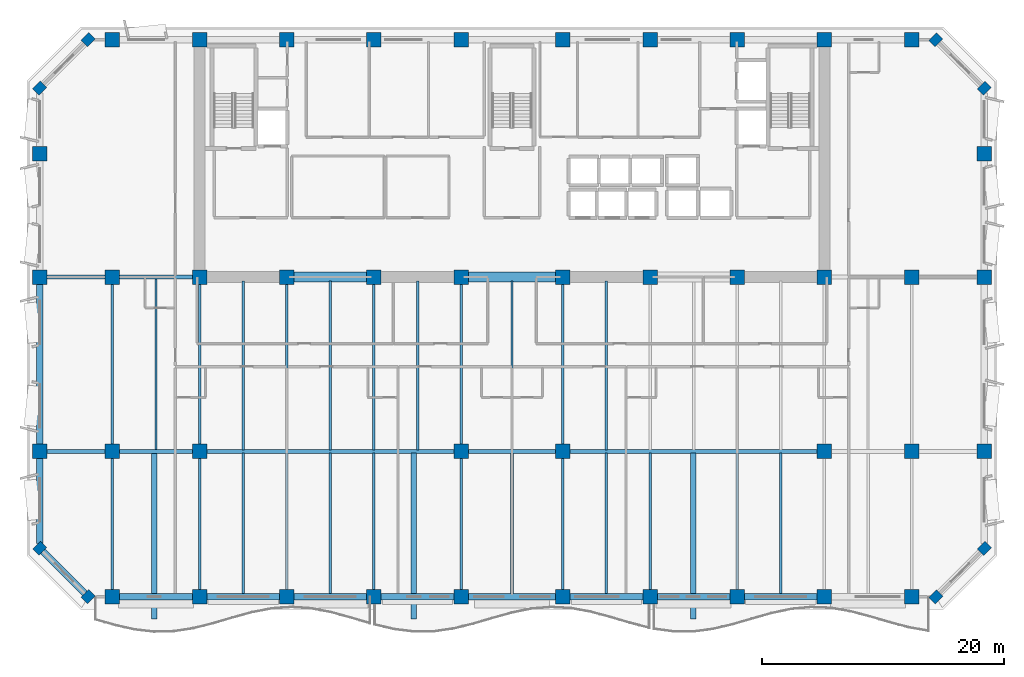
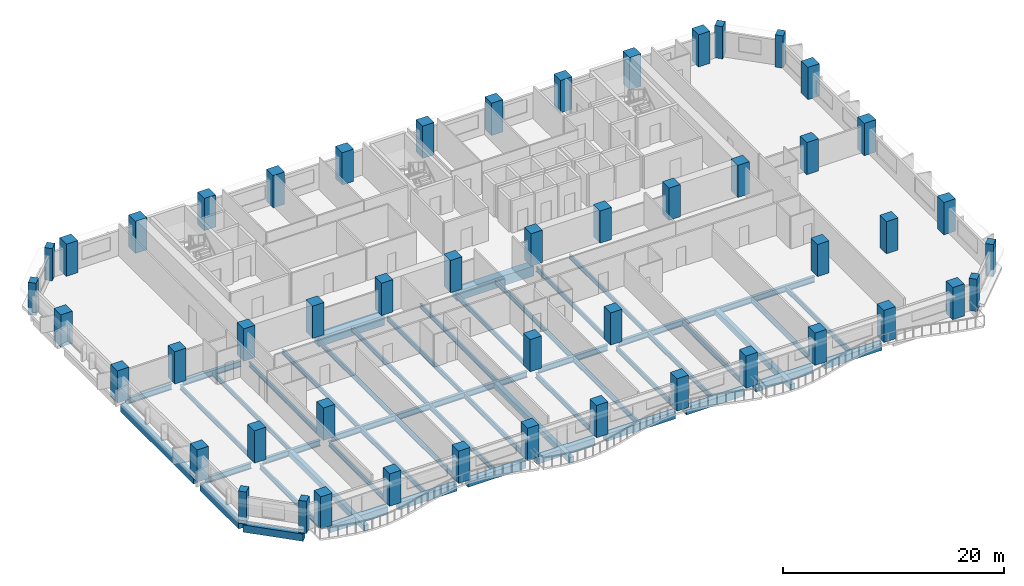
# One storey, part 1 of 14: 50 columns, 48 beams.
"""IFC4 building model written with IfcOpenShell, lengths in metres."""

from ifc_helpers import new_model, si_unit, direction, frame, origin, origin_2d, place, context, subcontext, project, spatial, rectangle, i_section, extrude, material, material_profile, profile_set, type_object, element, save


model = new_model("IFC4")

# Units and contexts
model_context = context("Model", 3, precision=1e-05, world=origin(), true_north=direction((0.0, 1.0)))
body_context = subcontext(model_context, "Body", "Model", "MODEL_VIEW")
ifc_project = project(units=[si_unit("LENGTHUNIT", "METRE"), si_unit("AREAUNIT", "SQUARE_METRE"), si_unit("VOLUMEUNIT", "CUBIC_METRE"), si_unit("PLANEANGLEUNIT", "RADIAN"), si_unit("MASSUNIT", "GRAM", prefix="KILO")], contexts=[model_context])

# Site, building, storey
site_placement = place(None, origin())
site = spatial("IfcSite", under=ifc_project, at=site_placement, CompositionType="ELEMENT")
building_placement = place(site_placement, origin())
building = spatial("IfcBuilding", under=site, at=building_placement, Name="Kaelvorn Grand Hotel", CompositionType="ELEMENT")
storey_placement = place(building_placement, frame((0.0, 0.0, 197.75)))
storey = spatial("IfcBuildingStorey", under=building, at=storey_placement, Name="L48", CompositionType="ELEMENT", Elevation=197.75)

# Columns
ifc_material_1 = material(Name="Concrete C60/75", Category="concrete")
ifc_material_profile_1 = material_profile(ifc_material_1, rectangle(XDim=0.89990234375, YDim=0.75, at=origin_2d()), Name="RC PILASTER 900x750")
ifc_profile_set_1 = profile_set([ifc_material_profile_1], Name="Concrete C60/75")
column_type_1 = type_object("IfcColumnType", Name="COL-PIL-900x750-C60", PredefinedType="PILASTER", material=ifc_profile_set_1)
for number, where, z_axis, x_axis, name in (
    (1, (7.0, 3.0, 0.0), (0.0, 0.0, 1.0), (0.707106781187, 0.707106781187, 0.0), "L48 Structural Column CH-01"),
    (2, (77.0, 3.0, 0.0), (0.0, 0.0, 1.0), (0.707106781187, 0.707106781187, 0.0), "L48 Structural Column CH-02"),
    (3, (81.0, 7.0, 0.0), (0.0, 0.0, 1.0), (0.707106781187, 0.707106781187, 0.0), "L48 Structural Column CH-03"),
    (4, (81.0, 45.0, 0.0), (0.0, 0.0, 1.0), (0.707106781187, 0.707106781187, 0.0), "L48 Structural Column CH-04"),
    (5, (77.0, 49.0, 0.0), (0.0, 0.0, 1.0), (0.707106781187, 0.707106781187, 0.0), "L48 Structural Column CH-05"),
    (6, (7.0, 49.0, 0.0), (0.0, 0.0, 1.0), (0.707106781187, 0.707106781187, 0.0), "L48 Structural Column CH-06"),
    (7, (3.0, 45.0, 0.0), (0.0, 0.0, 1.0), (0.707106781187, 0.707106781187, 0.0), "L48 Structural Column CH-07"),
    (8, (3.0, 7.0, 0.0), (0.0, 0.0, 1.0), (0.707106781187, 0.707106781187, 0.0), "L48 Structural Column CH-08"),
):
    element("IfcColumn", number, at=place(storey_placement, frame(where, z_axis=z_axis, x_axis=x_axis)), inside=storey, type_object=column_type_1, Name=name, PredefinedType="PILASTER", context=body_context, shape_type="SweptSolid", body=[
        extrude(rectangle(XDim=0.89990234375, YDim=0.75, at=origin_2d()), origin(), (0.0, 0.0, 1.0), 3.56005859375),
    ])
ifc_material_profile_2 = material_profile(ifc_material_1, rectangle(XDim=1.199951171875, YDim=1.199951171875, at=origin_2d()), Name="RC COL 1200x1200")
ifc_profile_set_2 = profile_set([ifc_material_profile_2], Name="Concrete C60/75")
column_type_2 = type_object("IfcColumnType", Name="COL-RC-1200-C60", PredefinedType="COLUMN", material=ifc_profile_set_2)
for number, where, z_axis, x_axis, name in (
    (9, (9.0, 3.0, 0.0), (0.0, 0.0, 1.0), (1.0, 0.0, 0.0), "L48 Structural Column S-01"),
    (10, (16.199951171875, 3.0, 0.0), (0.0, 0.0, 1.0), (1.0, 0.0, 0.0), "L48 Structural Column S-02"),
    (11, (23.39990234375, 3.0, 0.0), (0.0, 0.0, 1.0), (1.0, 0.0, 0.0), "L48 Structural Column S-03"),
    (12, (30.60009765625, 3.0, 0.0), (0.0, 0.0, 1.0), (1.0, 0.0, 0.0), "L48 Structural Column S-04"),
    (13, (37.800048828125, 3.0, 0.0), (0.0, 0.0, 1.0), (1.0, 0.0, 0.0), "L48 Structural Column S-05"),
    (14, (46.199951171875, 3.0, 0.0), (0.0, 0.0, 1.0), (1.0, 0.0, 0.0), "L48 Structural Column S-06"),
    (15, (53.39990234375, 3.0, 0.0), (0.0, 0.0, 1.0), (1.0, 0.0, 0.0), "L48 Structural Column S-07"),
    (16, (60.60009765625, 3.0, 0.0), (0.0, 0.0, 1.0), (1.0, 0.0, 0.0), "L48 Structural Column S-08"),
    (17, (67.800048828125, 3.0, 0.0), (0.0, 0.0, 1.0), (1.0, 0.0, 0.0), "L48 Structural Column S-09"),
    (18, (75.0, 3.0, 0.0), (0.0, 0.0, 1.0), (1.0, 0.0, 0.0), "L48 Structural Column S-10"),
    (19, (3.0, 15.0, 0.0), (0.0, 0.0, 1.0), (1.0, 0.0, 0.0), "L48 Structural Column W-01"),
    (20, (81.0, 15.0, 0.0), (0.0, 0.0, 1.0), (1.0, 0.0, 0.0), "L48 Structural Column E-01"),
    (21, (3.0, 29.39990234375, 0.0), (0.0, 0.0, 1.0), (1.0, 0.0, 0.0), "L48 Structural Column W-02"),
    (22, (81.0, 29.39990234375, 0.0), (0.0, 0.0, 1.0), (1.0, 0.0, 0.0), "L48 Structural Column E-02"),
    (23, (3.0, 39.60009765625, 0.0), (0.0, 0.0, 1.0), (1.0, 0.0, 0.0), "L48 Structural Column W-03"),
    (24, (81.0, 39.60009765625, 0.0), (0.0, 0.0, 1.0), (1.0, 0.0, 0.0), "L48 Structural Column E-03"),
    (25, (9.0, 15.0, 0.0), (0.0, 0.0, 1.0), (1.0, 0.0, 0.0), "L48 Structural Column M-01"),
    (26, (16.199951171875, 15.0, 0.0), (0.0, 0.0, 1.0), (1.0, 0.0, 0.0), "L48 Structural Column M-02"),
    (27, (37.800048828125, 15.0, 0.0), (0.0, 0.0, 1.0), (1.0, 0.0, 0.0), "L48 Structural Column M-03"),
    (28, (46.199951171875, 15.0, 0.0), (0.0, 0.0, 1.0), (1.0, 0.0, 0.0), "L48 Structural Column M-04"),
    (29, (67.800048828125, 15.0, 0.0), (0.0, 0.0, 1.0), (1.0, 0.0, 0.0), "L48 Structural Column M-05"),
    (30, (75.0, 15.0, 0.0), (0.0, 0.0, 1.0), (1.0, 0.0, 0.0), "L48 Structural Column M-06"),
    (31, (9.0, 29.39990234375, 0.0), (0.0, 0.0, 1.0), (1.0, 0.0, 0.0), "L48 Structural Column CR1-01"),
    (32, (9.0, 49.0, 0.0), (0.0, 0.0, 1.0), (1.0, 0.0, 0.0), "L48 Structural Column CR2-01"),
    (33, (16.199951171875, 29.39990234375, 0.0), (0.0, 0.0, 1.0), (1.0, 0.0, 0.0), "L48 Structural Column CR1-02"),
    (34, (16.199951171875, 49.0, 0.0), (0.0, 0.0, 1.0), (1.0, 0.0, 0.0), "L48 Structural Column CR2-02"),
    (35, (23.39990234375, 29.39990234375, 0.0), (0.0, 0.0, 1.0), (1.0, 0.0, 0.0), "L48 Structural Column CR1-03"),
    (36, (23.39990234375, 49.0, 0.0), (0.0, 0.0, 1.0), (1.0, 0.0, 0.0), "L48 Structural Column CR2-03"),
    (37, (30.60009765625, 29.39990234375, 0.0), (0.0, 0.0, 1.0), (1.0, 0.0, 0.0), "L48 Structural Column CR1-04"),
    (38, (30.60009765625, 49.0, 0.0), (0.0, 0.0, 1.0), (1.0, 0.0, 0.0), "L48 Structural Column CR2-04"),
    (39, (37.800048828125, 29.39990234375, 0.0), (0.0, 0.0, 1.0), (1.0, 0.0, 0.0), "L48 Structural Column CR1-05"),
    (40, (37.800048828125, 49.0, 0.0), (0.0, 0.0, 1.0), (1.0, 0.0, 0.0), "L48 Structural Column CR2-05"),
    (41, (46.199951171875, 29.39990234375, 0.0), (0.0, 0.0, 1.0), (1.0, 0.0, 0.0), "L48 Structural Column CR1-06"),
    (42, (46.199951171875, 49.0, 0.0), (0.0, 0.0, 1.0), (1.0, 0.0, 0.0), "L48 Structural Column CR2-06"),
    (43, (53.39990234375, 29.39990234375, 0.0), (0.0, 0.0, 1.0), (1.0, 0.0, 0.0), "L48 Structural Column CR1-07"),
    (44, (53.39990234375, 49.0, 0.0), (0.0, 0.0, 1.0), (1.0, 0.0, 0.0), "L48 Structural Column CR2-07"),
    (45, (60.60009765625, 29.39990234375, 0.0), (0.0, 0.0, 1.0), (1.0, 0.0, 0.0), "L48 Structural Column CR1-08"),
    (46, (60.60009765625, 49.0, 0.0), (0.0, 0.0, 1.0), (1.0, 0.0, 0.0), "L48 Structural Column CR2-08"),
    (47, (67.800048828125, 29.39990234375, 0.0), (0.0, 0.0, 1.0), (1.0, 0.0, 0.0), "L48 Structural Column CR1-09"),
    (48, (67.800048828125, 49.0, 0.0), (0.0, 0.0, 1.0), (1.0, 0.0, 0.0), "L48 Structural Column CR2-09"),
    (49, (75.0, 29.39990234375, 0.0), (0.0, 0.0, 1.0), (1.0, 0.0, 0.0), "L48 Structural Column CR1-10"),
    (50, (75.0, 49.0, 0.0), (0.0, 0.0, 1.0), (1.0, 0.0, 0.0), "L48 Structural Column CR2-10"),
):
    element("IfcColumn", number, at=place(storey_placement, frame(where, z_axis=z_axis, x_axis=x_axis)), inside=storey, type_object=column_type_2, Name=name, PredefinedType="COLUMN", context=body_context, shape_type="SweptSolid", body=[
        extrude(rectangle(XDim=1.199951171875, YDim=1.199951171875, at=origin_2d()), origin(), (0.0, 0.0, 1.0), 3.56005859375),
    ])

# Beams
ifc_material_2 = material(Name="Steel S355", Category="steel")
ifc_material_profile_3 = material_profile(ifc_material_2, i_section(OverallWidth=0.300048828125, OverallDepth=0.64990234375, WebThickness=0.01611328125, FlangeThickness=0.031005859375, FilletRadius=0.027099609375, at=origin_2d()), Name="HEB 650")
ifc_profile_set_3 = profile_set([ifc_material_profile_3], Name="Steel S355")
beam_type_1 = type_object("IfcBeamType", Name="BM-G-HEB650-S355", PredefinedType="BEAM", material=ifc_profile_set_3)
beam_1_placement = place(storey_placement, frame((3.5849609375, 15.0, -0.56494140625), z_axis=(1.0, 0.0, 0.0), x_axis=(0.0, 1.0, 0.0)))
element("IfcBeam", 51, at=beam_1_placement, inside=storey, type_object=beam_type_1, Name="L48 Primary Spine Steel Girder G-15 01", PredefinedType="BEAM", context=body_context, shape_type="SweptSolid", body=[
    extrude(i_section(OverallWidth=0.300048828125, OverallDepth=0.64990234375, WebThickness=0.01611328125, FlangeThickness=0.031005859375, FilletRadius=0.027099609375, at=origin_2d()), origin(), (0.0, 0.0, 1.0), 4.830078125),
])
beam_2_placement = place(storey_placement, frame((9.5849609375, 15.0, -0.56494140625), z_axis=(1.0, 0.0, 0.0), x_axis=(0.0, 1.0, 0.0)))
element("IfcBeam", 52, at=beam_2_placement, inside=storey, type_object=beam_type_1, Name="L48 Primary Spine Steel Girder G-15 02", PredefinedType="BEAM", context=body_context, shape_type="SweptSolid", body=[
    extrude(i_section(OverallWidth=0.300048828125, OverallDepth=0.64990234375, WebThickness=0.01611328125, FlangeThickness=0.031005859375, FilletRadius=0.027099609375, at=origin_2d()), origin(), (0.0, 0.0, 1.0), 6.030029296875),
])
beam_3_placement = place(storey_placement, frame((16.784912109375, 15.0, -0.56494140625), z_axis=(1.0, 0.0, 0.0), x_axis=(0.0, 1.0, 0.0)))
element("IfcBeam", 53, at=beam_3_placement, inside=storey, type_object=beam_type_1, Name="L48 Primary Spine Steel Girder G-15 03", PredefinedType="BEAM", context=body_context, shape_type="SweptSolid", body=[
    extrude(i_section(OverallWidth=0.300048828125, OverallDepth=0.64990234375, WebThickness=0.01611328125, FlangeThickness=0.031005859375, FilletRadius=0.027099609375, at=origin_2d()), origin(), (0.0, 0.0, 1.0), 20.43017578125),
])
beam_4_placement = place(storey_placement, frame((38.385009765625, 15.0, -0.56494140625), z_axis=(1.0, 0.0, 0.0), x_axis=(0.0, 1.0, 0.0)))
element("IfcBeam", 54, at=beam_4_placement, inside=storey, type_object=beam_type_1, Name="L48 Primary Spine Steel Girder G-15 04", PredefinedType="BEAM", context=body_context, shape_type="SweptSolid", body=[
    extrude(i_section(OverallWidth=0.300048828125, OverallDepth=0.64990234375, WebThickness=0.01611328125, FlangeThickness=0.031005859375, FilletRadius=0.027099609375, at=origin_2d()), origin(), (0.0, 0.0, 1.0), 7.22998046875),
])
beam_5_placement = place(storey_placement, frame((46.784912109375, 15.0, -0.56494140625), z_axis=(1.0, 0.0, 0.0), x_axis=(0.0, 1.0, 0.0)))
element("IfcBeam", 55, at=beam_5_placement, inside=storey, type_object=beam_type_1, Name="L48 Primary Spine Steel Girder G-15 05", PredefinedType="BEAM", context=body_context, shape_type="SweptSolid", body=[
    extrude(i_section(OverallWidth=0.300048828125, OverallDepth=0.64990234375, WebThickness=0.01611328125, FlangeThickness=0.031005859375, FilletRadius=0.027099609375, at=origin_2d()), origin(), (0.0, 0.0, 1.0), 20.43017578125),
])
beam_6_placement = place(storey_placement, frame((3.5849609375, 29.39990234375, -0.56494140625), z_axis=(1.0, 0.0, 0.0), x_axis=(0.0, 1.0, 0.0)))
element("IfcBeam", 56, at=beam_6_placement, inside=storey, type_object=beam_type_1, Name="L48 West Core Wing Steel Girder G-29W 01", PredefinedType="BEAM", context=body_context, shape_type="SweptSolid", body=[
    extrude(i_section(OverallWidth=0.300048828125, OverallDepth=0.64990234375, WebThickness=0.01611328125, FlangeThickness=0.031005859375, FilletRadius=0.027099609375, at=origin_2d()), origin(), (0.0, 0.0, 1.0), 4.830078125),
])
beam_7_placement = place(storey_placement, frame((9.5849609375, 29.39990234375, -0.56494140625), z_axis=(1.0, 0.0, 0.0), x_axis=(0.0, 1.0, 0.0)))
element("IfcBeam", 57, at=beam_7_placement, inside=storey, type_object=beam_type_1, Name="L48 West Core Wing Steel Girder G-29W 02", PredefinedType="BEAM", context=body_context, shape_type="SweptSolid", body=[
    extrude(i_section(OverallWidth=0.300048828125, OverallDepth=0.64990234375, WebThickness=0.01611328125, FlangeThickness=0.031005859375, FilletRadius=0.027099609375, at=origin_2d()), origin(), (0.0, 0.0, 1.0), 6.030029296875),
])
ifc_material_profile_4 = material_profile(ifc_material_2, i_section(OverallWidth=0.199951171875, OverallDepth=0.5, WebThickness=0.01025390625, FlangeThickness=0.01611328125, FilletRadius=0.02099609375, at=origin_2d()), Name="IPE 500")
ifc_profile_set_4 = profile_set([ifc_material_profile_4], Name="Steel S355")
beam_type_2 = type_object("IfcBeamType", Name="BM-J-IPE500-S355", PredefinedType="JOIST", material=ifc_profile_set_4)
beam_8_placement = place(storey_placement, frame((9.0, 15.5849609375, -0.489990234375), z_axis=(0.0, 1.0, 0.0), x_axis=(-1.0, 0.0, 0.0)))
element("IfcBeam", 58, at=beam_8_placement, inside=storey, type_object=beam_type_2, Name="L48 Composite Floor Joist JM-03", PredefinedType="JOIST", context=body_context, shape_type="SweptSolid", body=[
    extrude(i_section(OverallWidth=0.199951171875, OverallDepth=0.5, WebThickness=0.01025390625, FlangeThickness=0.01611328125, FilletRadius=0.02099609375, at=origin_2d()), origin(), (0.0, 0.0, 1.0), 13.22998046875),
])
beam_9_placement = place(storey_placement, frame((12.60009765625, 15.135009765625, -0.489990234375), z_axis=(0.0, 1.0, 0.0), x_axis=(-1.0, 0.0, 0.0)))
element("IfcBeam", 59, at=beam_9_placement, inside=storey, type_object=beam_type_2, Name="L48 Composite Floor Joist JM-04", PredefinedType="JOIST", context=body_context, shape_type="SweptSolid", body=[
    extrude(i_section(OverallWidth=0.199951171875, OverallDepth=0.5, WebThickness=0.01025390625, FlangeThickness=0.01611328125, FilletRadius=0.02099609375, at=origin_2d()), origin(), (0.0, 0.0, 1.0), 14.1298828125),
])
beam_10_placement = place(storey_placement, frame((16.199951171875, 15.5849609375, -0.489990234375), z_axis=(0.0, 1.0, 0.0), x_axis=(-1.0, 0.0, 0.0)))
element("IfcBeam", 60, at=beam_10_placement, inside=storey, type_object=beam_type_2, Name="L48 Composite Floor Joist JM-05", PredefinedType="JOIST", context=body_context, shape_type="SweptSolid", body=[
    extrude(i_section(OverallWidth=0.199951171875, OverallDepth=0.5, WebThickness=0.01025390625, FlangeThickness=0.01611328125, FilletRadius=0.02099609375, at=origin_2d()), origin(), (0.0, 0.0, 1.0), 13.22998046875),
])
beam_11_placement = place(storey_placement, frame((19.800048828125, 15.135009765625, -0.489990234375), z_axis=(0.0, 1.0, 0.0), x_axis=(-1.0, 0.0, 0.0)))
element("IfcBeam", 61, at=beam_11_placement, inside=storey, type_object=beam_type_2, Name="L48 Composite Floor Joist JM-06", PredefinedType="JOIST", context=body_context, shape_type="SweptSolid", body=[
    extrude(i_section(OverallWidth=0.199951171875, OverallDepth=0.5, WebThickness=0.01025390625, FlangeThickness=0.01611328125, FilletRadius=0.02099609375, at=origin_2d()), origin(), (0.0, 0.0, 1.0), 13.925048828125),
])
beam_12_placement = place(storey_placement, frame((23.39990234375, 15.135009765625, -0.489990234375), z_axis=(0.0, 1.0, 0.0), x_axis=(-1.0, 0.0, 0.0)))
element("IfcBeam", 62, at=beam_12_placement, inside=storey, type_object=beam_type_2, Name="L48 Composite Floor Joist JM-07", PredefinedType="JOIST", context=body_context, shape_type="SweptSolid", body=[
    extrude(i_section(OverallWidth=0.199951171875, OverallDepth=0.5, WebThickness=0.01025390625, FlangeThickness=0.01611328125, FilletRadius=0.02099609375, at=origin_2d()), origin(), (0.0, 0.0, 1.0), 13.679931640625),
])
beam_13_placement = place(storey_placement, frame((27.0, 15.135009765625, -0.489990234375), z_axis=(0.0, 1.0, 0.0), x_axis=(-1.0, 0.0, 0.0)))
element("IfcBeam", 63, at=beam_13_placement, inside=storey, type_object=beam_type_2, Name="L48 Composite Floor Joist JM-08", PredefinedType="JOIST", context=body_context, shape_type="SweptSolid", body=[
    extrude(i_section(OverallWidth=0.199951171875, OverallDepth=0.5, WebThickness=0.01025390625, FlangeThickness=0.01611328125, FilletRadius=0.02099609375, at=origin_2d()), origin(), (0.0, 0.0, 1.0), 13.925048828125),
])
beam_14_placement = place(storey_placement, frame((30.60009765625, 15.135009765625, -0.489990234375), z_axis=(0.0, 1.0, 0.0), x_axis=(-1.0, 0.0, 0.0)))
element("IfcBeam", 64, at=beam_14_placement, inside=storey, type_object=beam_type_2, Name="L48 Composite Floor Joist JM-09", PredefinedType="JOIST", context=body_context, shape_type="SweptSolid", body=[
    extrude(i_section(OverallWidth=0.199951171875, OverallDepth=0.5, WebThickness=0.01025390625, FlangeThickness=0.01611328125, FilletRadius=0.02099609375, at=origin_2d()), origin(), (0.0, 0.0, 1.0), 13.679931640625),
])
beam_15_placement = place(storey_placement, frame((34.199951171875, 15.135009765625, -0.489990234375), z_axis=(0.0, 1.0, 0.0), x_axis=(-1.0, 0.0, 0.0)))
element("IfcBeam", 65, at=beam_15_placement, inside=storey, type_object=beam_type_2, Name="L48 Composite Floor Joist JM-10", PredefinedType="JOIST", context=body_context, shape_type="SweptSolid", body=[
    extrude(i_section(OverallWidth=0.199951171875, OverallDepth=0.5, WebThickness=0.01025390625, FlangeThickness=0.01611328125, FilletRadius=0.02099609375, at=origin_2d()), origin(), (0.0, 0.0, 1.0), 13.925048828125),
])
beam_16_placement = place(storey_placement, frame((37.800048828125, 15.5849609375, -0.489990234375), z_axis=(0.0, 1.0, 0.0), x_axis=(-1.0, 0.0, 0.0)))
element("IfcBeam", 66, at=beam_16_placement, inside=storey, type_object=beam_type_2, Name="L48 Composite Floor Joist JM-11", PredefinedType="JOIST", context=body_context, shape_type="SweptSolid", body=[
    extrude(i_section(OverallWidth=0.199951171875, OverallDepth=0.5, WebThickness=0.01025390625, FlangeThickness=0.01611328125, FilletRadius=0.02099609375, at=origin_2d()), origin(), (0.0, 0.0, 1.0), 13.22998046875),
])
beam_17_placement = place(storey_placement, frame((42.0, 15.135009765625, -0.489990234375), z_axis=(0.0, 1.0, 0.0), x_axis=(-1.0, 0.0, 0.0)))
element("IfcBeam", 67, at=beam_17_placement, inside=storey, type_object=beam_type_2, Name="L48 Composite Floor Joist JM-12", PredefinedType="JOIST", context=body_context, shape_type="SweptSolid", body=[
    extrude(i_section(OverallWidth=0.199951171875, OverallDepth=0.5, WebThickness=0.01025390625, FlangeThickness=0.01611328125, FilletRadius=0.02099609375, at=origin_2d()), origin(), (0.0, 0.0, 1.0), 13.925048828125),
])
beam_18_placement = place(storey_placement, frame((46.199951171875, 15.5849609375, -0.489990234375), z_axis=(0.0, 1.0, 0.0), x_axis=(-1.0, 0.0, 0.0)))
element("IfcBeam", 68, at=beam_18_placement, inside=storey, type_object=beam_type_2, Name="L48 Composite Floor Joist JM-13", PredefinedType="JOIST", context=body_context, shape_type="SweptSolid", body=[
    extrude(i_section(OverallWidth=0.199951171875, OverallDepth=0.5, WebThickness=0.01025390625, FlangeThickness=0.01611328125, FilletRadius=0.02099609375, at=origin_2d()), origin(), (0.0, 0.0, 1.0), 13.22998046875),
])
beam_19_placement = place(storey_placement, frame((49.800048828125, 15.135009765625, -0.489990234375), z_axis=(0.0, 1.0, 0.0), x_axis=(-1.0, 0.0, 0.0)))
element("IfcBeam", 69, at=beam_19_placement, inside=storey, type_object=beam_type_2, Name="L48 Composite Floor Joist JM-14", PredefinedType="JOIST", context=body_context, shape_type="SweptSolid", body=[
    extrude(i_section(OverallWidth=0.199951171875, OverallDepth=0.5, WebThickness=0.01025390625, FlangeThickness=0.01611328125, FilletRadius=0.02099609375, at=origin_2d()), origin(), (0.0, 0.0, 1.0), 13.925048828125),
])
ifc_material_profile_5 = material_profile(ifc_material_2, i_section(OverallWidth=0.2099609375, OverallDepth=0.550048828125, WebThickness=0.010986328125, FlangeThickness=0.01708984375, FilletRadius=0.02392578125, at=origin_2d()), Name="IPE 550")
ifc_profile_set_5 = profile_set([ifc_material_profile_5], Name="Steel S355")
beam_type_3 = type_object("IfcBeamType", Name="BM-J-IPE550-S355", PredefinedType="JOIST", material=ifc_profile_set_5)
for number, where, z_axis, x_axis, name in (
    (70, (9.0, 3.5849609375, -0.514892578125), (0.0, 1.0, 0.0), (-1.0, 0.0, 0.0), "L48 Composite Floor Joist JS-03"),
    (71, (16.199951171875, 3.5849609375, -0.514892578125), (0.0, 1.0, 0.0), (-1.0, 0.0, 0.0), "L48 Composite Floor Joist JS-05"),
):
    element("IfcBeam", number, at=place(storey_placement, frame(where, z_axis=z_axis, x_axis=x_axis)), inside=storey, type_object=beam_type_3, Name=name, PredefinedType="JOIST", context=body_context, shape_type="SweptSolid", body=[
        extrude(i_section(OverallWidth=0.2099609375, OverallDepth=0.550048828125, WebThickness=0.010986328125, FlangeThickness=0.01708984375, FilletRadius=0.02392578125, at=origin_2d()), origin(), (0.0, 0.0, 1.0), 10.830078125),
    ])
beam_20_placement = place(storey_placement, frame((19.800048828125, 3.260009765625, -0.514892578125), z_axis=(0.0, 1.0, 0.0), x_axis=(-1.0, 0.0, 0.0)))
element("IfcBeam", 72, at=beam_20_placement, inside=storey, type_object=beam_type_3, Name="L48 Composite Floor Joist JS-06", PredefinedType="JOIST", context=body_context, shape_type="SweptSolid", body=[
    extrude(i_section(OverallWidth=0.2099609375, OverallDepth=0.550048828125, WebThickness=0.010986328125, FlangeThickness=0.01708984375, FilletRadius=0.02392578125, at=origin_2d()), origin(), (0.0, 0.0, 1.0), 11.60498046875),
])
beam_21_placement = place(storey_placement, frame((23.39990234375, 3.5849609375, -0.514892578125), z_axis=(0.0, 1.0, 0.0), x_axis=(-1.0, 0.0, 0.0)))
element("IfcBeam", 73, at=beam_21_placement, inside=storey, type_object=beam_type_3, Name="L48 Composite Floor Joist JS-07", PredefinedType="JOIST", context=body_context, shape_type="SweptSolid", body=[
    extrude(i_section(OverallWidth=0.2099609375, OverallDepth=0.550048828125, WebThickness=0.010986328125, FlangeThickness=0.01708984375, FilletRadius=0.02392578125, at=origin_2d()), origin(), (0.0, 0.0, 1.0), 11.280029296875),
])
beam_22_placement = place(storey_placement, frame((27.0, 3.260009765625, -0.514892578125), z_axis=(0.0, 1.0, 0.0), x_axis=(-1.0, 0.0, 0.0)))
element("IfcBeam", 74, at=beam_22_placement, inside=storey, type_object=beam_type_3, Name="L48 Composite Floor Joist JS-08", PredefinedType="JOIST", context=body_context, shape_type="SweptSolid", body=[
    extrude(i_section(OverallWidth=0.2099609375, OverallDepth=0.550048828125, WebThickness=0.010986328125, FlangeThickness=0.01708984375, FilletRadius=0.02392578125, at=origin_2d()), origin(), (0.0, 0.0, 1.0), 11.60498046875),
])
beam_23_placement = place(storey_placement, frame((30.60009765625, 3.5849609375, -0.514892578125), z_axis=(0.0, 1.0, 0.0), x_axis=(-1.0, 0.0, 0.0)))
element("IfcBeam", 75, at=beam_23_placement, inside=storey, type_object=beam_type_3, Name="L48 Composite Floor Joist JS-09", PredefinedType="JOIST", context=body_context, shape_type="SweptSolid", body=[
    extrude(i_section(OverallWidth=0.2099609375, OverallDepth=0.550048828125, WebThickness=0.010986328125, FlangeThickness=0.01708984375, FilletRadius=0.02392578125, at=origin_2d()), origin(), (0.0, 0.0, 1.0), 11.280029296875),
])
beam_24_placement = place(storey_placement, frame((37.800048828125, 3.5849609375, -0.514892578125), z_axis=(0.0, 1.0, 0.0), x_axis=(-1.0, 0.0, 0.0)))
element("IfcBeam", 76, at=beam_24_placement, inside=storey, type_object=beam_type_3, Name="L48 Composite Floor Joist JS-11", PredefinedType="JOIST", context=body_context, shape_type="SweptSolid", body=[
    extrude(i_section(OverallWidth=0.2099609375, OverallDepth=0.550048828125, WebThickness=0.010986328125, FlangeThickness=0.01708984375, FilletRadius=0.02392578125, at=origin_2d()), origin(), (0.0, 0.0, 1.0), 10.830078125),
])
beam_25_placement = place(storey_placement, frame((42.0, 3.260009765625, -0.514892578125), z_axis=(0.0, 1.0, 0.0), x_axis=(-1.0, 0.0, 0.0)))
element("IfcBeam", 77, at=beam_25_placement, inside=storey, type_object=beam_type_3, Name="L48 Composite Floor Joist JS-12", PredefinedType="JOIST", context=body_context, shape_type="SweptSolid", body=[
    extrude(i_section(OverallWidth=0.2099609375, OverallDepth=0.550048828125, WebThickness=0.010986328125, FlangeThickness=0.01708984375, FilletRadius=0.02392578125, at=origin_2d()), origin(), (0.0, 0.0, 1.0), 11.60498046875),
])
beam_26_placement = place(storey_placement, frame((46.199951171875, 3.5849609375, -0.514892578125), z_axis=(0.0, 1.0, 0.0), x_axis=(-1.0, 0.0, 0.0)))
element("IfcBeam", 78, at=beam_26_placement, inside=storey, type_object=beam_type_3, Name="L48 Composite Floor Joist JS-13", PredefinedType="JOIST", context=body_context, shape_type="SweptSolid", body=[
    extrude(i_section(OverallWidth=0.2099609375, OverallDepth=0.550048828125, WebThickness=0.010986328125, FlangeThickness=0.01708984375, FilletRadius=0.02392578125, at=origin_2d()), origin(), (0.0, 0.0, 1.0), 10.830078125),
])
beam_27_placement = place(storey_placement, frame((49.800048828125, 3.260009765625, -0.514892578125), z_axis=(0.0, 1.0, 0.0), x_axis=(-1.0, 0.0, 0.0)))
element("IfcBeam", 79, at=beam_27_placement, inside=storey, type_object=beam_type_3, Name="L48 Composite Floor Joist JS-14", PredefinedType="JOIST", context=body_context, shape_type="SweptSolid", body=[
    extrude(i_section(OverallWidth=0.2099609375, OverallDepth=0.550048828125, WebThickness=0.010986328125, FlangeThickness=0.01708984375, FilletRadius=0.02392578125, at=origin_2d()), origin(), (0.0, 0.0, 1.0), 11.60498046875),
])
for number, where, z_axis, x_axis, name in (
    (80, (53.39990234375, 3.5849609375, -0.514892578125), (0.0, 1.0, 0.0), (-1.0, 0.0, 0.0), "L48 Composite Floor Joist JS-15"),
    (81, (60.60009765625, 3.5849609375, -0.514892578125), (0.0, 1.0, 0.0), (-1.0, 0.0, 0.0), "L48 Composite Floor Joist JS-17"),
):
    element("IfcBeam", number, at=place(storey_placement, frame(where, z_axis=z_axis, x_axis=x_axis)), inside=storey, type_object=beam_type_3, Name=name, PredefinedType="JOIST", context=body_context, shape_type="SweptSolid", body=[
        extrude(i_section(OverallWidth=0.2099609375, OverallDepth=0.550048828125, WebThickness=0.010986328125, FlangeThickness=0.01708984375, FilletRadius=0.02392578125, at=origin_2d()), origin(), (0.0, 0.0, 1.0), 11.280029296875),
    ])
beam_28_placement = place(storey_placement, frame((64.199951171875, 3.260009765625, -0.514892578125), z_axis=(0.0, 1.0, 0.0), x_axis=(-1.0, 0.0, 0.0)))
element("IfcBeam", 82, at=beam_28_placement, inside=storey, type_object=beam_type_3, Name="L48 Composite Floor Joist JS-18", PredefinedType="JOIST", context=body_context, shape_type="SweptSolid", body=[
    extrude(i_section(OverallWidth=0.2099609375, OverallDepth=0.550048828125, WebThickness=0.010986328125, FlangeThickness=0.01708984375, FilletRadius=0.02392578125, at=origin_2d()), origin(), (0.0, 0.0, 1.0), 11.60498046875),
])
ifc_material_profile_6 = material_profile(ifc_material_1, rectangle(XDim=0.800048828125, YDim=1.10009765625, at=origin_2d()), Name="RC LINTEL 800x1100")
ifc_profile_set_6 = profile_set([ifc_material_profile_6], Name="Concrete C60/75")
beam_type_4 = type_object("IfcBeamType", Name="BM-LIN-800x1100-C60", PredefinedType="LINTEL", material=ifc_profile_set_6)
beam_29_placement = place(storey_placement, frame((23.580078125, 29.39990234375, -0.7900390625), z_axis=(1.0, 0.0, 0.0), x_axis=(0.0, 1.0, 0.0)))
element("IfcBeam", 83, at=beam_29_placement, inside=storey, type_object=beam_type_4, Name="L48 Rear-Core Coupling Lintel Beam CB1-01", PredefinedType="LINTEL", context=body_context, shape_type="SweptSolid", body=[
    extrude(rectangle(XDim=0.800048828125, YDim=1.10009765625, at=origin_2d()), origin(), (0.0, 0.0, 1.0), 6.83984375),
])
beam_30_placement = place(storey_placement, frame((37.97998046875, 29.39990234375, -0.7900390625), z_axis=(1.0, 0.0, 0.0), x_axis=(0.0, 1.0, 0.0)))
element("IfcBeam", 84, at=beam_30_placement, inside=storey, type_object=beam_type_4, Name="L48 Rear-Core Coupling Lintel Beam CB1-02", PredefinedType="LINTEL", context=body_context, shape_type="SweptSolid", body=[
    extrude(rectangle(XDim=0.800048828125, YDim=1.10009765625, at=origin_2d()), origin(), (0.0, 0.0, 1.0), 8.0400390625),
])
ifc_material_3 = material(Name="Concrete C40/50", Category="concrete")
ifc_material_profile_7 = material_profile(ifc_material_3, rectangle(XDim=0.449951171875, YDim=0.64990234375, at=origin_2d()), Name="RC RIB 450x650")
ifc_profile_set_7 = profile_set([ifc_material_profile_7], Name="Concrete C40/50")
beam_type_5 = type_object("IfcBeamType", Name="BM-RIB-450x650-C40", PredefinedType="SPANDREL", material=ifc_profile_set_7)
for number, where, z_axis, x_axis, name in (
    (85, (12.45703125, 1.14990234375, -0.544921875), (0.0, 1.0, 0.0), (-1.0, 0.0, 0.0), "L48 Cantilevered Balcony Back-Span Rib RB1-1"),
    (86, (33.90478515625, 1.14990234375, -0.544921875), (0.0, 1.0, 0.0), (-1.0, 0.0, 0.0), "L48 Cantilevered Balcony Back-Span Rib RB1-2"),
    (87, (56.971435546875, 1.14990234375, -0.544921875), (0.0, 1.0, 0.0), (-1.0, 0.0, 0.0), "L48 Cantilevered Balcony Back-Span Rib RB1-3"),
):
    element("IfcBeam", number, at=place(storey_placement, frame(where, z_axis=z_axis, x_axis=x_axis)), inside=storey, type_object=beam_type_5, Name=name, PredefinedType="SPANDREL", context=body_context, shape_type="SweptSolid", body=[
        extrude(rectangle(XDim=0.449951171875, YDim=0.64990234375, at=origin_2d()), origin(), (0.0, 0.0, 1.0), 13.715087890625),
    ])
ifc_material_4 = material(Name="Concrete C50/60", Category="concrete")
ifc_material_profile_8 = material_profile(ifc_material_4, rectangle(XDim=0.550048828125, YDim=0.800048828125, at=origin_2d()), Name="RC SPANDREL 550x800")
ifc_profile_set_8 = profile_set([ifc_material_profile_8], Name="Concrete C50/60")
beam_type_6 = type_object("IfcBeamType", Name="BM-SP-550x800-C50", PredefinedType="SPANDREL", material=ifc_profile_set_8)
for number, where, z_axis, x_axis, name in (
    (88, (9.5849609375, 3.0, -0.639892578125), (1.0, 0.0, 0.0), (0.0, 1.0, 0.0), "L48 South Perimeter Spandrel 02"),
    (89, (16.784912109375, 3.0, -0.639892578125), (1.0, 0.0, 0.0), (0.0, 1.0, 0.0), "L48 South Perimeter Spandrel 03"),
):
    element("IfcBeam", number, at=place(storey_placement, frame(where, z_axis=z_axis, x_axis=x_axis)), inside=storey, type_object=beam_type_6, Name=name, PredefinedType="SPANDREL", context=body_context, shape_type="SweptSolid", body=[
        extrude(rectangle(XDim=0.550048828125, YDim=0.800048828125, at=origin_2d()), origin(), (0.0, 0.0, 1.0), 6.030029296875),
    ])
beam_31_placement = place(storey_placement, frame((23.985107421875, 3.0, -0.639892578125), z_axis=(1.0, 0.0, 0.0), x_axis=(0.0, 1.0, 0.0)))
element("IfcBeam", 90, at=beam_31_placement, inside=storey, type_object=beam_type_6, Name="L48 South Perimeter Spandrel 04", PredefinedType="SPANDREL", context=body_context, shape_type="SweptSolid", body=[
    extrude(rectangle(XDim=0.550048828125, YDim=0.800048828125, at=origin_2d()), origin(), (0.0, 0.0, 1.0), 6.02978515625),
])
beam_32_placement = place(storey_placement, frame((31.18505859375, 3.0, -0.639892578125), z_axis=(1.0, 0.0, 0.0), x_axis=(0.0, 1.0, 0.0)))
element("IfcBeam", 91, at=beam_32_placement, inside=storey, type_object=beam_type_6, Name="L48 South Perimeter Spandrel 05", PredefinedType="SPANDREL", context=body_context, shape_type="SweptSolid", body=[
    extrude(rectangle(XDim=0.550048828125, YDim=0.800048828125, at=origin_2d()), origin(), (0.0, 0.0, 1.0), 6.030029296875),
])
beam_33_placement = place(storey_placement, frame((38.385009765625, 3.0, -0.639892578125), z_axis=(1.0, 0.0, 0.0), x_axis=(0.0, 1.0, 0.0)))
element("IfcBeam", 92, at=beam_33_placement, inside=storey, type_object=beam_type_6, Name="L48 South Perimeter Spandrel 06", PredefinedType="SPANDREL", context=body_context, shape_type="SweptSolid", body=[
    extrude(rectangle(XDim=0.550048828125, YDim=0.800048828125, at=origin_2d()), origin(), (0.0, 0.0, 1.0), 7.22998046875),
])
beam_34_placement = place(storey_placement, frame((46.784912109375, 3.0, -0.639892578125), z_axis=(1.0, 0.0, 0.0), x_axis=(0.0, 1.0, 0.0)))
element("IfcBeam", 93, at=beam_34_placement, inside=storey, type_object=beam_type_6, Name="L48 South Perimeter Spandrel 07", PredefinedType="SPANDREL", context=body_context, shape_type="SweptSolid", body=[
    extrude(rectangle(XDim=0.550048828125, YDim=0.800048828125, at=origin_2d()), origin(), (0.0, 0.0, 1.0), 6.030029296875),
])
beam_35_placement = place(storey_placement, frame((53.985107421875, 3.0, -0.639892578125), z_axis=(1.0, 0.0, 0.0), x_axis=(0.0, 1.0, 0.0)))
element("IfcBeam", 94, at=beam_35_placement, inside=storey, type_object=beam_type_6, Name="L48 South Perimeter Spandrel 08", PredefinedType="SPANDREL", context=body_context, shape_type="SweptSolid", body=[
    extrude(rectangle(XDim=0.550048828125, YDim=0.800048828125, at=origin_2d()), origin(), (0.0, 0.0, 1.0), 6.02978515625),
])
beam_36_placement = place(storey_placement, frame((61.18505859375, 3.0, -0.639892578125), z_axis=(1.0, 0.0, 0.0), x_axis=(0.0, 1.0, 0.0)))
element("IfcBeam", 95, at=beam_36_placement, inside=storey, type_object=beam_type_6, Name="L48 South Perimeter Spandrel 09", PredefinedType="SPANDREL", context=body_context, shape_type="SweptSolid", body=[
    extrude(rectangle(XDim=0.550048828125, YDim=0.800048828125, at=origin_2d()), origin(), (0.0, 0.0, 1.0), 6.030029296875),
])
beam_37_placement = place(storey_placement, frame((3.0, 7.405029296875, -0.639892578125), z_axis=(0.0, 1.0, 0.0), x_axis=(-1.0, 0.0, 0.0)))
element("IfcBeam", 96, at=beam_37_placement, inside=storey, type_object=beam_type_6, Name="L48 West Perimeter Spandrel 01", PredefinedType="SPANDREL", context=body_context, shape_type="SweptSolid", body=[
    extrude(rectangle(XDim=0.550048828125, YDim=0.800048828125, at=origin_2d()), origin(), (0.0, 0.0, 1.0), 7.010009765625),
])
beam_38_placement = place(storey_placement, frame((3.0, 15.5849609375, -0.639892578125), z_axis=(0.0, 1.0, 0.0), x_axis=(-1.0, 0.0, 0.0)))
element("IfcBeam", 97, at=beam_38_placement, inside=storey, type_object=beam_type_6, Name="L48 West Perimeter Spandrel 02", PredefinedType="SPANDREL", context=body_context, shape_type="SweptSolid", body=[
    extrude(rectangle(XDim=0.550048828125, YDim=0.800048828125, at=origin_2d()), origin(), (0.0, 0.0, 1.0), 13.22998046875),
])
beam_39_placement = place(storey_placement, frame((3.0, 7.0, -0.639892578125), z_axis=(0.707106781187, -0.707106781187, 0.0), x_axis=(0.707106781187, 0.707106781187, 0.0)))
element("IfcBeam", 98, at=beam_39_placement, inside=storey, type_object=beam_type_6, Name="L48 Chamfer Spandrel Beam 4", PredefinedType="SPANDREL", context=body_context, shape_type="SweptSolid", body=[
    extrude(rectangle(XDim=0.550048828125, YDim=0.800048828125, at=origin_2d()), origin(), (0.0, 0.0, 1.0), 5.65673828125),
])

save(model, "model.ifc")
